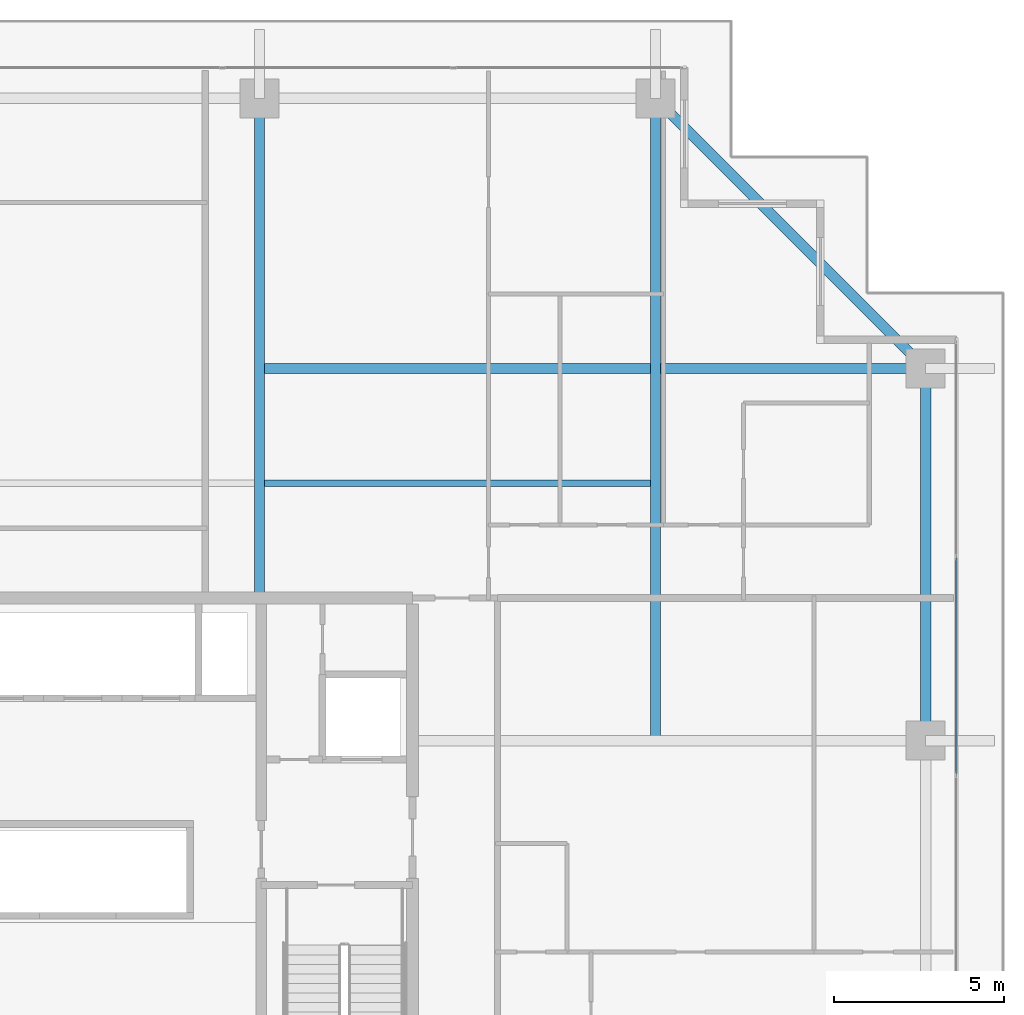
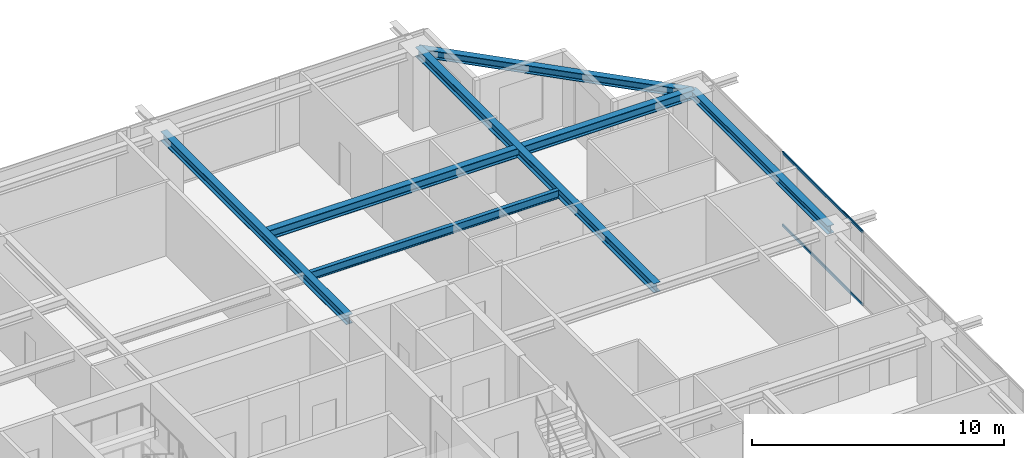
# One storey, part 20 of 35: 6 beams, 2 members, 1 element without a shape of its own.
"""IFC4 building model written with IfcOpenShell, lengths in metres."""

from ifc_helpers import new_model, si_unit, direction, frame, origin, origin_2d, place, context, subcontext, project, spatial, hollow_rectangle, i_section, extrude, source, transform, mapped, material, layer, layer_set, material_profile, profile_set, type_object, element, aggregate, save


model = new_model("IFC4")

# Units and contexts
model_context = context("Model", 3, precision=1e-05, world=origin(), true_north=direction((0.0, 1.0)))
body_context = subcontext(model_context, "Body", "Model", "MODEL_VIEW")
ifc_project = project(units=[si_unit("LENGTHUNIT", "METRE"), si_unit("AREAUNIT", "SQUARE_METRE"), si_unit("VOLUMEUNIT", "CUBIC_METRE"), si_unit("PLANEANGLEUNIT", "RADIAN"), si_unit("MASSUNIT", "GRAM", prefix="KILO")], contexts=[model_context])

# Site, building, storey
site_placement = place(None, origin())
site = spatial("IfcSite", under=ifc_project, at=site_placement, CompositionType="ELEMENT")
building_placement = place(site_placement, origin())
building = spatial("IfcBuilding", under=site, at=building_placement, Name="Serunith Strait Residences", CompositionType="ELEMENT")
storey_placement = place(building_placement, frame((0.0, 0.0, 210.449951171875)))
storey = spatial("IfcBuildingStorey", under=building, at=storey_placement, Name="L52", CompositionType="ELEMENT", Elevation=210.449951171875)

# Beams
ifc_material_1 = material(Name="Steel S355J2", Category="steel")
ifc_material_profile_1 = material_profile(ifc_material_1, i_section(OverallWidth=0.300048828125, OverallDepth=0.449951171875, WebThickness=0.013916015625, FlangeThickness=0.02587890625, FilletRadius=0.027099609375, at=origin_2d()), Name="HEB 450")
ifc_profile_set_1 = profile_set([ifc_material_profile_1], Name="Steel S355J2")
beam_type_1 = type_object("IfcBeamType", Name="BM-HEB450", PredefinedType="BEAM", material=ifc_profile_set_1)
shared_shape_1 = source(origin(), body_context, "Body", "SweptSolid", [
    extrude(i_section(OverallWidth=0.300048828125, OverallDepth=0.449951171875, WebThickness=0.013916015625, FlangeThickness=0.02587890625, FilletRadius=0.027099609375, at=origin_2d()), origin(), (0.0, 0.0, 1.0), 14.699951171875),
])
beam_1_placement = place(storey_placement, frame((36.89990234375, 33.60009765625, 3.362060546875), z_axis=(0.0, 1.0, 0.0), x_axis=(-1.0, 0.0, 0.0)))
element("IfcBeam", 1, at=beam_1_placement, inside=storey, type_object=beam_type_1, Name="L52 Primary Floor Girder TC-N3", PredefinedType="BEAM", context=body_context, shape_type="MappedRepresentation", body=[
    mapped(shared_shape_1, transform((0.0, 0.0, 0.0), scale=1.0)),
])
shared_shape_2 = source(origin(), body_context, "Body", "SweptSolid", [
    extrude(i_section(OverallWidth=0.300048828125, OverallDepth=0.449951171875, WebThickness=0.013916015625, FlangeThickness=0.02587890625, FilletRadius=0.027099609375, at=origin_2d()), origin(), (0.0, 0.0, 1.0), 18.900146484375),
])
beam_2_placement = place(storey_placement, frame((48.550048828125, 29.39990234375, 3.362060546875), z_axis=(0.0, 1.0, 0.0), x_axis=(-1.0, 0.0, 0.0)))
element("IfcBeam", 2, at=beam_2_placement, inside=storey, type_object=beam_type_1, Name="L52 Orthogonal Corner Girder TC-N4", PredefinedType="BEAM", context=body_context, shape_type="MappedRepresentation", body=[
    mapped(shared_shape_2, transform((0.0, 0.0, 0.0), scale=1.0)),
])
shared_shape_3 = source(origin(), body_context, "Body", "SweptSolid", [
    extrude(i_section(OverallWidth=0.300048828125, OverallDepth=0.449951171875, WebThickness=0.013916015625, FlangeThickness=0.02587890625, FilletRadius=0.027099609375, at=origin_2d()), origin(), (0.0, 0.0, 1.0), 19.60009765625),
])
beam_3_placement = place(storey_placement, frame((36.89990234375, 40.35009765625, 3.362060546875), z_axis=(1.0, 0.0, 0.0), x_axis=(0.0, 1.0, 0.0)))
element("IfcBeam", 3, at=beam_3_placement, inside=storey, type_object=beam_type_1, Name="L52 Orthogonal Corner Girder TC-E4", PredefinedType="BEAM", context=body_context, shape_type="MappedRepresentation", body=[
    mapped(shared_shape_3, transform((0.0, 0.0, 0.0), scale=1.0)),
])
ifc_material_profile_2 = material_profile(ifc_material_1, i_section(OverallWidth=0.300048828125, OverallDepth=0.39990234375, WebThickness=0.013427734375, FlangeThickness=0.02392578125, FilletRadius=0.027099609375, at=origin_2d()), Name="HEB 400")
ifc_profile_set_2 = profile_set([ifc_material_profile_2], Name="Steel S355J2")
beam_type_2 = type_object("IfcBeamType", Name="BM-HEB400", PredefinedType="BEAM", material=ifc_profile_set_2)
shared_shape_4 = source(origin(), body_context, "Body", "SweptSolid", [
    extrude(i_section(OverallWidth=0.300048828125, OverallDepth=0.39990234375, WebThickness=0.013427734375, FlangeThickness=0.02392578125, FilletRadius=0.027099609375, at=origin_2d()), origin(), (0.0, 0.0, 1.0), 11.242919921875),
])
beam_4_placement = place(storey_placement, frame((56.5, 40.35009765625, 3.35693359375), z_axis=(-0.707106781187, 0.707106781187, 0.0), x_axis=(-0.707106781187, -0.707106781187, 0.0)))
element("IfcBeam", 4, at=beam_4_placement, inside=storey, type_object=beam_type_2, Name="L52 Perimeter Ring Beam 08", PredefinedType="BEAM", context=body_context, shape_type="MappedRepresentation", body=[
    mapped(shared_shape_4, transform((0.0, 0.0, 0.0), scale=1.0)),
])
shared_shape_5 = source(origin(), body_context, "Body", "SweptSolid", [
    extrude(i_section(OverallWidth=0.300048828125, OverallDepth=0.39990234375, WebThickness=0.013427734375, FlangeThickness=0.02392578125, FilletRadius=0.027099609375, at=origin_2d()), origin(), (0.0, 0.0, 1.0), 10.9501953125),
])
beam_5_placement = place(storey_placement, frame((56.5, 29.39990234375, 3.386962890625), z_axis=(0.0, 1.0, 0.0), x_axis=(-1.0, 0.0, 0.0)))
element("IfcBeam", 5, at=beam_5_placement, inside=storey, type_object=beam_type_2, Name="L52 Perimeter Ring Beam 07", PredefinedType="BEAM", context=body_context, shape_type="MappedRepresentation", body=[
    mapped(shared_shape_5, transform((0.0, 0.0, 0.0), scale=1.0)),
])
ifc_material_profile_3 = material_profile(ifc_material_1, i_section(OverallWidth=0.179931640625, OverallDepth=0.39990234375, WebThickness=0.008544921875, FlangeThickness=0.013427734375, FilletRadius=0.02099609375, at=origin_2d()), Name="IPE 400")
ifc_profile_set_3 = profile_set([ifc_material_profile_3], Name="Steel S355J2")
beam_type_3 = type_object("IfcBeamType", Name="BM-IPE400", PredefinedType="JOIST", material=ifc_profile_set_3)
shared_shape_6 = source(origin(), body_context, "Body", "SweptSolid", [
    extrude(i_section(OverallWidth=0.179931640625, OverallDepth=0.39990234375, WebThickness=0.008544921875, FlangeThickness=0.013427734375, FilletRadius=0.02099609375, at=origin_2d()), origin(), (0.0, 0.0, 1.0), 11.349853515625),
])
beam_6_placement = place(storey_placement, frame((37.050048828125, 36.97509765625, 3.386962890625), z_axis=(1.0, 0.0, 0.0), x_axis=(0.0, 1.0, 0.0)))
element("IfcBeam", 6, at=beam_6_placement, inside=storey, type_object=beam_type_3, Name="L52 Composite Floor Joist 06", PredefinedType="JOIST", context=body_context, shape_type="MappedRepresentation", body=[
    mapped(shared_shape_6, transform((0.0, 0.0, 0.0), scale=1.0)),
])

# Curtain wall, members
ifc_material_2 = material(Name="Pale-Champagne Anodised Aluminium", Category="aluminium")
ifc_layer = layer(ifc_material_2, 0.199951171875, Name="Pale-Champagne Anodised Aluminium")
ifc_layer_set = layer_set([ifc_layer], Name="Pale-Champagne Anodised Aluminium")
curtain_wall_type = type_object("IfcCurtainWallType", Name="CW-SYS4", PredefinedType="NOTDEFINED", material=ifc_layer_set)
curtain_wall_placement = place(storey_placement, origin())
curtain_wall = element("IfcCurtainWall", 7, at=curtain_wall_placement, inside=storey, type_object=curtain_wall_type, Name="L52 E Unitised Fritted Curtain Wall", PredefinedType="NOTDEFINED")
ifc_material_profile_4 = material_profile(ifc_material_2, hollow_rectangle(XDim=0.06005859375, YDim=0.139892578125, WallThickness=0.00341796875, InnerFilletRadius=0.00537109375, OuterFilletRadius=0.0087890625, at=origin_2d()), Name="ALU 140x60x3.5")
ifc_profile_set_4 = profile_set([ifc_material_profile_4], Name="Pale-Champagne Anodised Aluminium")
member_type = type_object("IfcMemberType", Name="CW-SYS4-TRAN", PredefinedType="USERDEFINED", material=ifc_profile_set_4)
shared_shape_7 = source(origin(), body_context, "Body", "SweptSolid", [
    extrude(hollow_rectangle(XDim=0.06005859375, YDim=0.139892578125, WallThickness=0.00341796875, InnerFilletRadius=0.00537109375, OuterFilletRadius=0.0087890625, at=origin_2d()), origin(), (0.0, 0.0, 1.0), 6.3349609375),
])
member_1_placement = place(storey_placement, frame((57.39990234375, 28.4326171875, 0.030029296875), z_axis=(0.0, 1.0, 0.0), x_axis=(-1.0, 0.0, 0.0)))
member_1 = element("IfcMember", 8, at=member_1_placement, type_object=member_type, Name="CW-4 transom 4.1", ObjectType="TRANSOM", PredefinedType="USERDEFINED", context=body_context, shape_type="MappedRepresentation", body=[
    mapped(shared_shape_7, transform((0.0, 0.0, 0.0), scale=1.0)),
])
member_2_placement = place(storey_placement, frame((57.39990234375, 28.4326171875, 3.545166015625), z_axis=(0.0, 1.0, 0.0), x_axis=(-1.0, 0.0, 0.0)))
member_2 = element("IfcMember", 9, at=member_2_placement, type_object=member_type, Name="CW-4 transom 4.2", ObjectType="TRANSOM", PredefinedType="USERDEFINED", context=body_context, shape_type="MappedRepresentation", body=[
    mapped(shared_shape_7, transform((0.0, 0.0, 0.0), scale=1.0)),
])
aggregate(curtain_wall, [member_1, member_2])

save(model, "model.ifc")
